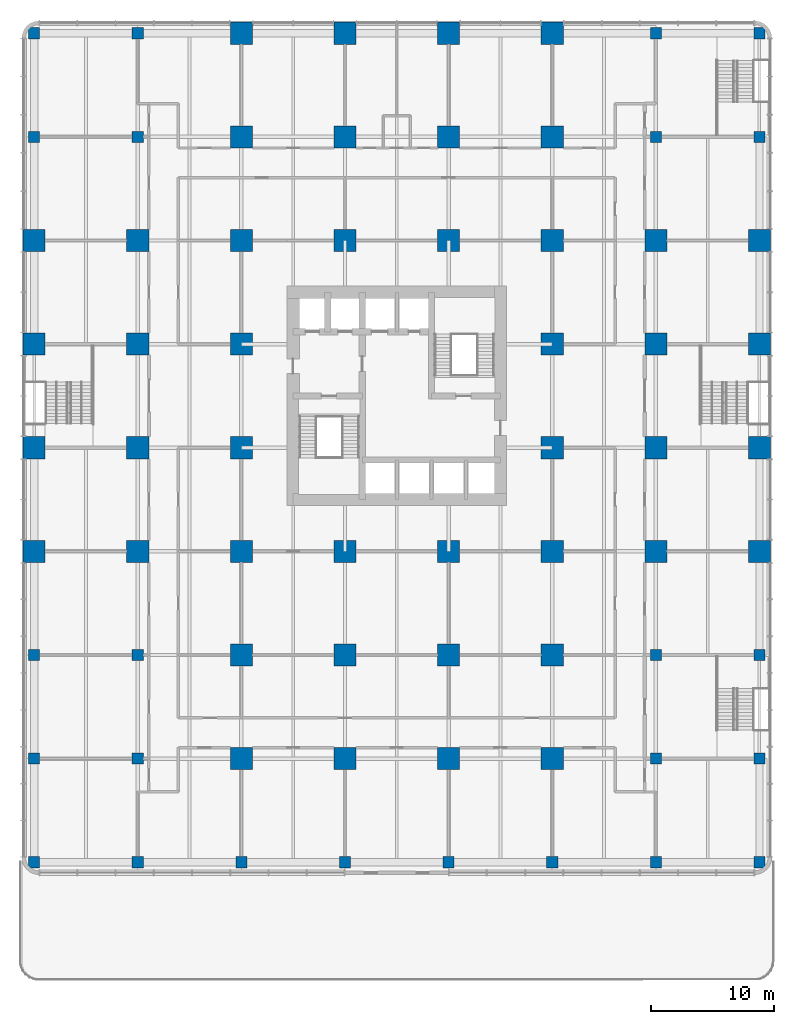
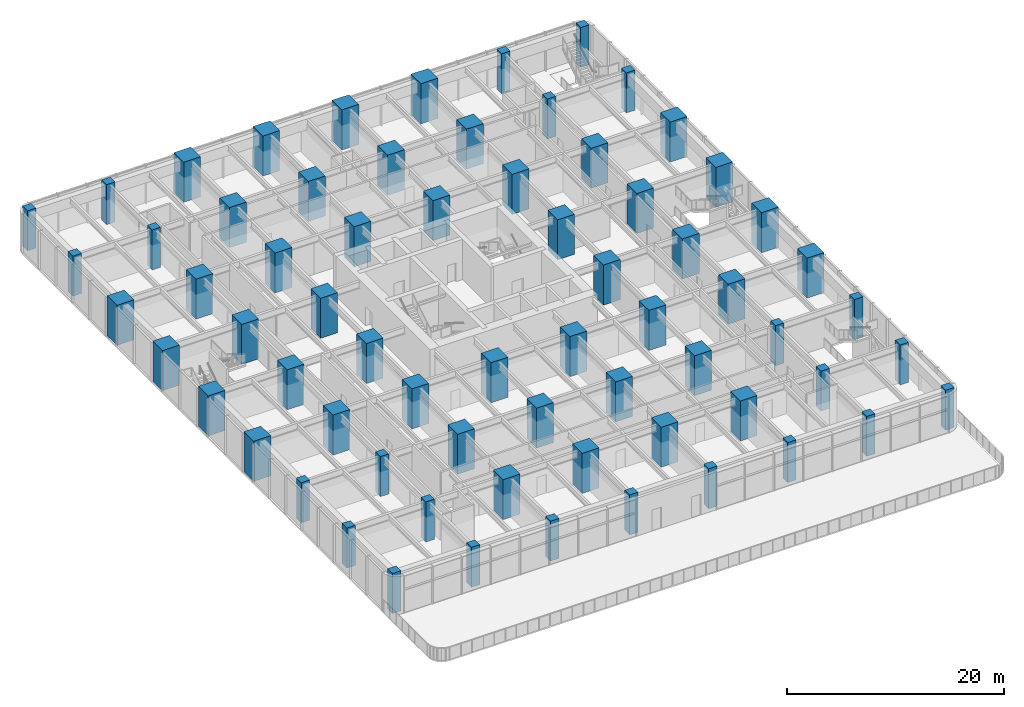
# One storey, part 1 of 20: 68 columns.
"""IFC4 building model written with IfcOpenShell, lengths in metres."""

import ifcopenshell
import ifcopenshell.guid

model = None  # the IFC model being written
_history = None  # IfcOwnerHistory: only IFC2X3 demands one
_inside = {}  # id of a spatial element -> (the spatial element, [elements in it])
_under = {}  # id of a project, library or spatial element -> (it, [spatial elements below it])
_declared = {}  # id of a project -> (the project, [libraries it declares])
_typed = {}  # id of a type object -> (the type object, [elements of that type])
_made_of = {}  # id of a material, layer set ... -> (it, [elements and type objects made of it])


def new_model(schema):
    """Start an empty IFC model of exactly this schema.

    Asked for "IFC4X3", IfcOpenShell would pick the latest addendum, in which some entities
    have other attributes; the version numbers below select the first issue.
    IFC2X3 requires an IfcOwnerHistory on every rooted entity: one is made here for all.
    """
    global model, _history
    if schema == "IFC4X3":
        model = ifcopenshell.file(schema_version=(4, 3, 0, 0))
    else:
        model = ifcopenshell.file(schema=schema)
    _inside.clear()
    _under.clear()
    _declared.clear()
    _typed.clear()
    _made_of.clear()
    _history = None
    if model.schema == "IFC2X3":
        org = make("IfcOrganization", Name="unknown")
        user = make(
            "IfcPersonAndOrganization",
            ThePerson=make("IfcPerson", FamilyName="unknown"),
            TheOrganization=org,
        )
        app = make(
            "IfcApplication",
            ApplicationDeveloper=org,
            Version="unknown",
            ApplicationFullName="unknown",
            ApplicationIdentifier="unknown",
        )
        _history = make(
            "IfcOwnerHistory",
            OwningUser=user,
            OwningApplication=app,
            ChangeAction="ADDED",
            CreationDate=0,
        )
    return model


def make(cls, **values):
    """One entity of the class cls with the attributes given. An attribute that is None is left unset."""
    return model.create_entity(
        cls, **{name: value for name, value in values.items() if value is not None}
    )


def rooted(cls, **values):
    """An entity with a GlobalId (a new one), such as an element, a storey or a relation."""
    return make(cls, GlobalId=ifcopenshell.guid.new(), OwnerHistory=_history, **values)


def si_unit(unit_type, name, prefix=None):
    """IfcSIUnit, for example si_unit("LENGTHUNIT", "METRE", prefix="MILLI")."""
    return make("IfcSIUnit", UnitType=unit_type, Prefix=prefix, Name=name)


def assignment(units):
    """IfcUnitAssignment: the units of a project."""
    return None if units is None else make("IfcUnitAssignment", Units=units)


def point(xyz):
    """IfcCartesianPoint."""
    return None if xyz is None else make("IfcCartesianPoint", Coordinates=xyz)


def direction(xyz):
    """IfcDirection."""
    return None if xyz is None else make("IfcDirection", DirectionRatios=xyz)


def frame(location, z_axis=None, x_axis=None):
    """IfcAxis2Placement3D, a coordinate frame: its origin and axes. An axis left out is left unset."""
    return make(
        "IfcAxis2Placement3D",
        Location=point(location),
        Axis=direction(z_axis),
        RefDirection=direction(x_axis),
    )


def frame_2d(location, x_axis=None):
    """IfcAxis2Placement2D, a coordinate frame in the plane: its origin and x axis."""
    return make(
        "IfcAxis2Placement2D", Location=point(location), RefDirection=direction(x_axis)
    )


def origin():
    """The frame at (0, 0, 0) with its axes left unset."""
    return frame((0.0, 0.0, 0.0))


def origin_2d():
    """The frame at (0, 0) in the plane with its x axis left unset."""
    return frame_2d((0.0, 0.0))


def place(relative_to, where):
    """IfcLocalPlacement: puts the frame where relative to a parent placement (None: the world)."""
    return make(
        "IfcLocalPlacement", PlacementRelTo=relative_to, RelativePlacement=where
    )


def context(
    kind, dimensions, precision=None, world=None, true_north=None, identifier=None
):
    """IfcGeometricRepresentationContext, for example the 3D "Model" context."""
    return make(
        "IfcGeometricRepresentationContext",
        ContextIdentifier=identifier,
        ContextType=kind,
        CoordinateSpaceDimension=dimensions,
        Precision=precision,
        WorldCoordinateSystem=world,
        TrueNorth=true_north,
    )


def subcontext(parent, identifier, kind, view, scale=None):
    """IfcGeometricRepresentationSubContext, for example "Body" below "Model"."""
    return make(
        "IfcGeometricRepresentationSubContext",
        ContextIdentifier=identifier,
        ContextType=kind,
        ParentContext=parent,
        TargetScale=scale,
        TargetView=view,
    )


def project(units=None, contexts=None):
    """IfcProject with its units and contexts."""
    return rooted(
        "IfcProject",
        Name="project",
        RepresentationContexts=contexts,
        UnitsInContext=assignment(units),
    )


def spatial(cls, under=None, at=None, **own):
    """A site, building, storey or space (cls), placed at a placement, below another one or the project."""
    s = rooted(cls, ObjectPlacement=at, **own)
    if under is not None:
        _under.setdefault(under.id(), (under, []))[1].append(s)
    return s


def profile(cls, at=None, kind="AREA", **sizes):
    """A parametric profile (cls). Its sizes go by their IFC names, for example OverallWidth=200.0."""
    return make(cls, ProfileType=kind, Position=at, **sizes)


def rectangle(**sizes):
    """IfcRectangleProfileDef."""
    return profile("IfcRectangleProfileDef", **sizes)


def extrude(swept, where, along, depth):
    """IfcExtrudedAreaSolid: the profile swept, set in the frame where, extruded along a direction by depth."""
    return make(
        "IfcExtrudedAreaSolid",
        SweptArea=swept,
        Position=where,
        ExtrudedDirection=direction(along),
        Depth=depth,
    )


def shape(context_of_items, identifier, shape_type, items):
    """IfcShapeRepresentation: the items that make up one representation, for example the "Body"."""
    return make(
        "IfcShapeRepresentation",
        ContextOfItems=context_of_items,
        RepresentationIdentifier=identifier,
        RepresentationType=shape_type,
        Items=items,
    )


def material(Name=None, Category=None):
    """IfcMaterial."""
    return make("IfcMaterial", Name=Name, Category=Category)


def material_profile(
    of_material, cross_section, Name=None, Category=None, Priority=None
):
    """IfcMaterialProfile: a cross section and its material."""
    return make(
        "IfcMaterialProfile",
        Name=Name,
        Material=of_material,
        Profile=cross_section,
        Priority=Priority,
        Category=Category,
    )


def profile_set(profiles, Name=None, composite=None):
    """IfcMaterialProfileSet."""
    return make(
        "IfcMaterialProfileSet",
        Name=Name,
        MaterialProfiles=profiles,
        CompositeProfile=composite,
    )


def made_of(thing, what):
    """Note that an element or type object is made of a material, layer set ...; save() writes the relation."""
    if what is not None:
        _made_of.setdefault(what.id(), (what, []))[1].append(thing)
    return thing


def type_object(cls, material=None, **own):
    """A type object (cls), such as IfcWallType, which elements share."""
    return made_of(rooted(cls, **own), material)


def element(
    cls,
    number,
    at=None,
    inside=None,
    cuts=None,
    type_object=None,
    material=None,
    context=None,
    identifier="Body",
    shape_type=None,
    held_by="IfcProductDefinitionShape",
    body=None,
    shapes=None,
    **own,
):
    """One element of the class cls, such as IfcWall. Its Tag is "e" and its number.

    at: its placement. inside: the storey or other place that contains it. cuts: it is an
    opening in that element (IfcRelVoidsElement). A single representation is given by context,
    identifier, shape_type and body (its items); several are given by shapes. held_by: the class
    of the entity that holds the representations. save() writes the other relations.
    """
    e = rooted(cls, Tag="e%d" % number, ObjectPlacement=at, **own)
    if body is not None:
        shapes = [shape(context, identifier, shape_type, body)]
    if shapes is not None:
        e.Representation = make(held_by, Representations=shapes)
    if inside is not None:
        _inside.setdefault(inside.id(), (inside, []))[1].append(e)
    if cuts is not None:
        rooted(
            "IfcRelVoidsElement", RelatingBuildingElement=cuts, RelatedOpeningElement=e
        )
    if type_object is not None:
        _typed.setdefault(type_object.id(), (type_object, []))[1].append(e)
    return made_of(e, material)


def aggregate(whole, parts):
    """IfcRelAggregates: a whole, such as a stair, and the parts it consists of."""
    return rooted("IfcRelAggregates", RelatingObject=whole, RelatedObjects=parts)


def save(model, path):
    """Write the relations noted so far, then the file.

    IfcRelAggregates (storeys below a building ...), IfcRelContainedInSpatialStructure (elements
    in a storey), IfcRelDefinesByType, IfcRelAssociatesMaterial and IfcRelDeclares: one each for
    every whole, place, type object, material and project.
    """
    for whole, parts in _under.values():
        aggregate(whole, parts)
    for where, things in _inside.values():
        rooted(
            "IfcRelContainedInSpatialStructure",
            RelatedElements=things,
            RelatingStructure=where,
        )
    for kind, things in _typed.values():
        rooted("IfcRelDefinesByType", RelatedObjects=things, RelatingType=kind)
    for what, things in _made_of.values():
        rooted("IfcRelAssociatesMaterial", RelatedObjects=things, RelatingMaterial=what)
    for by, libraries in _declared.values():
        rooted("IfcRelDeclares", RelatingContext=by, RelatedDefinitions=libraries)
    model.write(path)


model = new_model("IFC4")

# Units and contexts
model_context = context("Model", 3, precision=1e-05, world=origin(), true_north=direction((0.0, 1.0)))
body_context = subcontext(model_context, "Body", "Model", "MODEL_VIEW")
ifc_project = project(units=[si_unit("LENGTHUNIT", "METRE"), si_unit("AREAUNIT", "SQUARE_METRE"), si_unit("VOLUMEUNIT", "CUBIC_METRE"), si_unit("PLANEANGLEUNIT", "RADIAN"), si_unit("MASSUNIT", "GRAM", prefix="KILO")], contexts=[model_context])

# Site, building, storey
site_placement = place(None, origin())
site = spatial("IfcSite", under=ifc_project, at=site_placement, CompositionType="ELEMENT")
building_placement = place(site_placement, origin())
building = spatial("IfcBuilding", under=site, at=building_placement, Name="Torre Alcanfor", CompositionType="ELEMENT")
storey_placement = place(building_placement, frame((0.0, 0.0, 10.5)))
storey = spatial("IfcBuildingStorey", under=building, at=storey_placement, Name="L02", CompositionType="ELEMENT", Elevation=10.5)

# Columns
ifc_material_1 = material(Name="Concrete f'c 70 MPa", Category="concrete")
ifc_material_profile_1 = material_profile(ifc_material_1, rectangle(XDim=1.800048828125, YDim=1.800048828125, at=origin_2d()), Name="1800x1800")
ifc_profile_set_1 = profile_set([ifc_material_profile_1], Name="Concrete f'c 70 MPa")
column_type_1 = type_object("IfcColumnType", Name="RC column 1800x1800 f'c70", PredefinedType="COLUMN", material=ifc_profile_set_1)
for number, where, z_axis, x_axis, name in (
    (1, (0.0, 16.800048828125, 0.0), (0.0, 0.0, 1.0), (1.0, 0.0, 0.0), "Column 1/E L02"),
    (2, (0.0, 25.199951171875, 0.0), (0.0, 0.0, 1.0), (1.0, 0.0, 0.0), "Column 1/F L02"),
    (3, (0.0, 33.60009765625, 0.0), (0.0, 0.0, 1.0), (1.0, 0.0, 0.0), "Column 1/G L02"),
    (4, (0.0, 42.0, 0.0), (0.0, 0.0, 1.0), (1.0, 0.0, 0.0), "Column 1/H L02"),
    (5, (8.39990234375, 16.800048828125, 0.0), (0.0, 0.0, 1.0), (1.0, 0.0, 0.0), "Column 2/E L02"),
    (6, (8.39990234375, 25.199951171875, 0.0), (0.0, 0.0, 1.0), (1.0, 0.0, 0.0), "Column 2/F L02"),
    (7, (8.39990234375, 33.60009765625, 0.0), (0.0, 0.0, 1.0), (1.0, 0.0, 0.0), "Column 2/G L02"),
    (8, (8.39990234375, 42.0, 0.0), (0.0, 0.0, 1.0), (1.0, 0.0, 0.0), "Column 2/H L02"),
    (9, (16.800048828125, 0.0, 0.0), (0.0, 0.0, 1.0), (1.0, 0.0, 0.0), "Column 3/C L02"),
    (10, (16.800048828125, 8.39990234375, 0.0), (0.0, 0.0, 1.0), (1.0, 0.0, 0.0), "Column 3/D L02"),
    (11, (16.800048828125, 16.800048828125, 0.0), (0.0, 0.0, 1.0), (1.0, 0.0, 0.0), "Column 3/E L02"),
    (12, (16.800048828125, 25.199951171875, 0.0), (0.0, 0.0, 1.0), (1.0, 0.0, 0.0), "Column 3/F L02"),
    (13, (16.800048828125, 33.60009765625, 0.0), (0.0, 0.0, 1.0), (1.0, 0.0, 0.0), "Column 3/G L02"),
    (14, (16.800048828125, 42.0, 0.0), (0.0, 0.0, 1.0), (1.0, 0.0, 0.0), "Column 3/H L02"),
    (15, (16.800048828125, 50.39990234375, 0.0), (0.0, 0.0, 1.0), (1.0, 0.0, 0.0), "Column 3/J L02"),
    (16, (16.800048828125, 58.800048828125, 0.0), (0.0, 0.0, 1.0), (1.0, 0.0, 0.0), "Column 3/K L02"),
    (17, (25.199951171875, 0.0, 0.0), (0.0, 0.0, 1.0), (1.0, 0.0, 0.0), "Column 4/C L02"),
    (18, (25.199951171875, 8.39990234375, 0.0), (0.0, 0.0, 1.0), (1.0, 0.0, 0.0), "Column 4/D L02"),
    (19, (25.199951171875, 16.800048828125, 0.0), (0.0, 0.0, 1.0), (1.0, 0.0, 0.0), "Column 4/E L02"),
    (20, (25.199951171875, 42.0, 0.0), (0.0, 0.0, 1.0), (1.0, 0.0, 0.0), "Column 4/H L02"),
    (21, (25.199951171875, 50.39990234375, 0.0), (0.0, 0.0, 1.0), (1.0, 0.0, 0.0), "Column 4/J L02"),
    (22, (25.199951171875, 58.800048828125, 0.0), (0.0, 0.0, 1.0), (1.0, 0.0, 0.0), "Column 4/K L02"),
    (23, (33.60009765625, 0.0, 0.0), (0.0, 0.0, 1.0), (1.0, 0.0, 0.0), "Column 5/C L02"),
    (24, (33.60009765625, 8.39990234375, 0.0), (0.0, 0.0, 1.0), (1.0, 0.0, 0.0), "Column 5/D L02"),
    (25, (33.60009765625, 16.800048828125, 0.0), (0.0, 0.0, 1.0), (1.0, 0.0, 0.0), "Column 5/E L02"),
    (26, (33.60009765625, 42.0, 0.0), (0.0, 0.0, 1.0), (1.0, 0.0, 0.0), "Column 5/H L02"),
    (27, (33.60009765625, 50.39990234375, 0.0), (0.0, 0.0, 1.0), (1.0, 0.0, 0.0), "Column 5/J L02"),
    (28, (33.60009765625, 58.800048828125, 0.0), (0.0, 0.0, 1.0), (1.0, 0.0, 0.0), "Column 5/K L02"),
    (29, (42.0, 0.0, 0.0), (0.0, 0.0, 1.0), (1.0, 0.0, 0.0), "Column 6/C L02"),
    (30, (42.0, 8.39990234375, 0.0), (0.0, 0.0, 1.0), (1.0, 0.0, 0.0), "Column 6/D L02"),
    (31, (42.0, 16.800048828125, 0.0), (0.0, 0.0, 1.0), (1.0, 0.0, 0.0), "Column 6/E L02"),
    (32, (42.0, 25.199951171875, 0.0), (0.0, 0.0, 1.0), (1.0, 0.0, 0.0), "Column 6/F L02"),
    (33, (42.0, 33.60009765625, 0.0), (0.0, 0.0, 1.0), (1.0, 0.0, 0.0), "Column 6/G L02"),
    (34, (42.0, 42.0, 0.0), (0.0, 0.0, 1.0), (1.0, 0.0, 0.0), "Column 6/H L02"),
    (35, (42.0, 50.39990234375, 0.0), (0.0, 0.0, 1.0), (1.0, 0.0, 0.0), "Column 6/J L02"),
    (36, (42.0, 58.800048828125, 0.0), (0.0, 0.0, 1.0), (1.0, 0.0, 0.0), "Column 6/K L02"),
    (37, (50.39990234375, 16.800048828125, 0.0), (0.0, 0.0, 1.0), (1.0, 0.0, 0.0), "Column 7/E L02"),
    (38, (50.39990234375, 25.199951171875, 0.0), (0.0, 0.0, 1.0), (1.0, 0.0, 0.0), "Column 7/F L02"),
    (39, (50.39990234375, 33.60009765625, 0.0), (0.0, 0.0, 1.0), (1.0, 0.0, 0.0), "Column 7/G L02"),
    (40, (50.39990234375, 42.0, 0.0), (0.0, 0.0, 1.0), (1.0, 0.0, 0.0), "Column 7/H L02"),
    (41, (58.800048828125, 16.800048828125, 0.0), (0.0, 0.0, 1.0), (1.0, 0.0, 0.0), "Column 8/E L02"),
    (42, (58.800048828125, 25.199951171875, 0.0), (0.0, 0.0, 1.0), (1.0, 0.0, 0.0), "Column 8/F L02"),
    (43, (58.800048828125, 33.60009765625, 0.0), (0.0, 0.0, 1.0), (1.0, 0.0, 0.0), "Column 8/G L02"),
    (44, (58.800048828125, 42.0, 0.0), (0.0, 0.0, 1.0), (1.0, 0.0, 0.0), "Column 8/H L02"),
):
    element("IfcColumn", number, at=place(storey_placement, frame(where, z_axis=z_axis, x_axis=x_axis)), inside=storey, type_object=column_type_1, Name=name, PredefinedType="COLUMN", context=body_context, shape_type="SweptSolid", body=[
        extrude(rectangle(XDim=1.800048828125, YDim=1.800048828125, at=origin_2d()), origin(), (0.0, 0.0, 1.0), 4.5),
    ])
ifc_material_2 = material(Name="Concrete f'c 70 MPa", Category="concrete")
ifc_material_profile_2 = material_profile(ifc_material_2, rectangle(XDim=0.89990234375, YDim=0.89990234375, at=origin_2d()), Name="900x900")
ifc_profile_set_2 = profile_set([ifc_material_profile_2], Name="Concrete f'c 70 MPa")
column_type_2 = type_object("IfcColumnType", Name="RC column 900x900 f'c70", PredefinedType="COLUMN", material=ifc_profile_set_2)
for number, where, z_axis, x_axis, name in (
    (45, (0.0, -8.39990234375, 0.0), (0.0, 0.0, 1.0), (1.0, 0.0, 0.0), "Column 1/B L02"),
    (46, (0.0, 0.0, 0.0), (0.0, 0.0, 1.0), (1.0, 0.0, 0.0), "Column 1/C L02"),
    (47, (0.0, 8.39990234375, 0.0), (0.0, 0.0, 1.0), (1.0, 0.0, 0.0), "Column 1/D L02"),
    (48, (0.0, 50.39990234375, 0.0), (0.0, 0.0, 1.0), (1.0, 0.0, 0.0), "Column 1/J L02"),
    (49, (0.0, 58.800048828125, 0.0), (0.0, 0.0, 1.0), (1.0, 0.0, 0.0), "Column 1/K L02"),
    (50, (8.39990234375, -8.39990234375, 0.0), (0.0, 0.0, 1.0), (1.0, 0.0, 0.0), "Column 2/B L02"),
    (51, (8.39990234375, 0.0, 0.0), (0.0, 0.0, 1.0), (1.0, 0.0, 0.0), "Column 2/C L02"),
    (52, (8.39990234375, 8.39990234375, 0.0), (0.0, 0.0, 1.0), (1.0, 0.0, 0.0), "Column 2/D L02"),
    (53, (8.39990234375, 50.39990234375, 0.0), (0.0, 0.0, 1.0), (1.0, 0.0, 0.0), "Column 2/J L02"),
    (54, (8.39990234375, 58.800048828125, 0.0), (0.0, 0.0, 1.0), (1.0, 0.0, 0.0), "Column 2/K L02"),
    (55, (16.800048828125, -8.39990234375, 0.0), (0.0, 0.0, 1.0), (1.0, 0.0, 0.0), "Column 3/B L02"),
    (56, (25.199951171875, -8.39990234375, 0.0), (0.0, 0.0, 1.0), (1.0, 0.0, 0.0), "Column 4/B L02"),
    (57, (33.60009765625, -8.39990234375, 0.0), (0.0, 0.0, 1.0), (1.0, 0.0, 0.0), "Column 5/B L02"),
    (58, (42.0, -8.39990234375, 0.0), (0.0, 0.0, 1.0), (1.0, 0.0, 0.0), "Column 6/B L02"),
    (59, (50.39990234375, -8.39990234375, 0.0), (0.0, 0.0, 1.0), (1.0, 0.0, 0.0), "Column 7/B L02"),
    (60, (50.39990234375, 0.0, 0.0), (0.0, 0.0, 1.0), (1.0, 0.0, 0.0), "Column 7/C L02"),
    (61, (50.39990234375, 8.39990234375, 0.0), (0.0, 0.0, 1.0), (1.0, 0.0, 0.0), "Column 7/D L02"),
    (62, (50.39990234375, 50.39990234375, 0.0), (0.0, 0.0, 1.0), (1.0, 0.0, 0.0), "Column 7/J L02"),
    (63, (50.39990234375, 58.800048828125, 0.0), (0.0, 0.0, 1.0), (1.0, 0.0, 0.0), "Column 7/K L02"),
    (64, (58.800048828125, -8.39990234375, 0.0), (0.0, 0.0, 1.0), (1.0, 0.0, 0.0), "Column 8/B L02"),
    (65, (58.800048828125, 0.0, 0.0), (0.0, 0.0, 1.0), (1.0, 0.0, 0.0), "Column 8/C L02"),
    (66, (58.800048828125, 8.39990234375, 0.0), (0.0, 0.0, 1.0), (1.0, 0.0, 0.0), "Column 8/D L02"),
    (67, (58.800048828125, 50.39990234375, 0.0), (0.0, 0.0, 1.0), (1.0, 0.0, 0.0), "Column 8/J L02"),
    (68, (58.800048828125, 58.800048828125, 0.0), (0.0, 0.0, 1.0), (1.0, 0.0, 0.0), "Column 8/K L02"),
):
    element("IfcColumn", number, at=place(storey_placement, frame(where, z_axis=z_axis, x_axis=x_axis)), inside=storey, type_object=column_type_2, Name=name, PredefinedType="COLUMN", context=body_context, shape_type="SweptSolid", body=[
        extrude(rectangle(XDim=0.89990234375, YDim=0.89990234375, at=origin_2d()), origin(), (0.0, 0.0, 1.0), 4.5),
    ])

save(model, "model.ifc")
